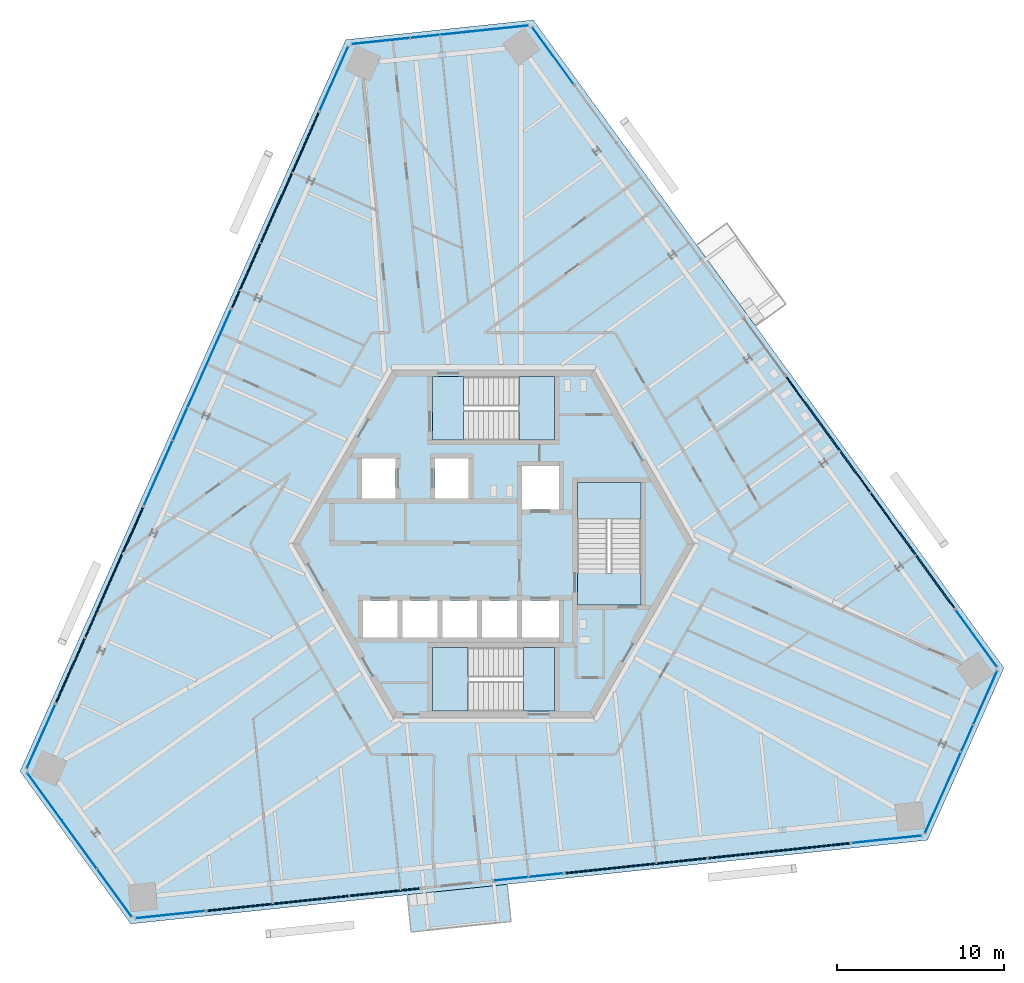
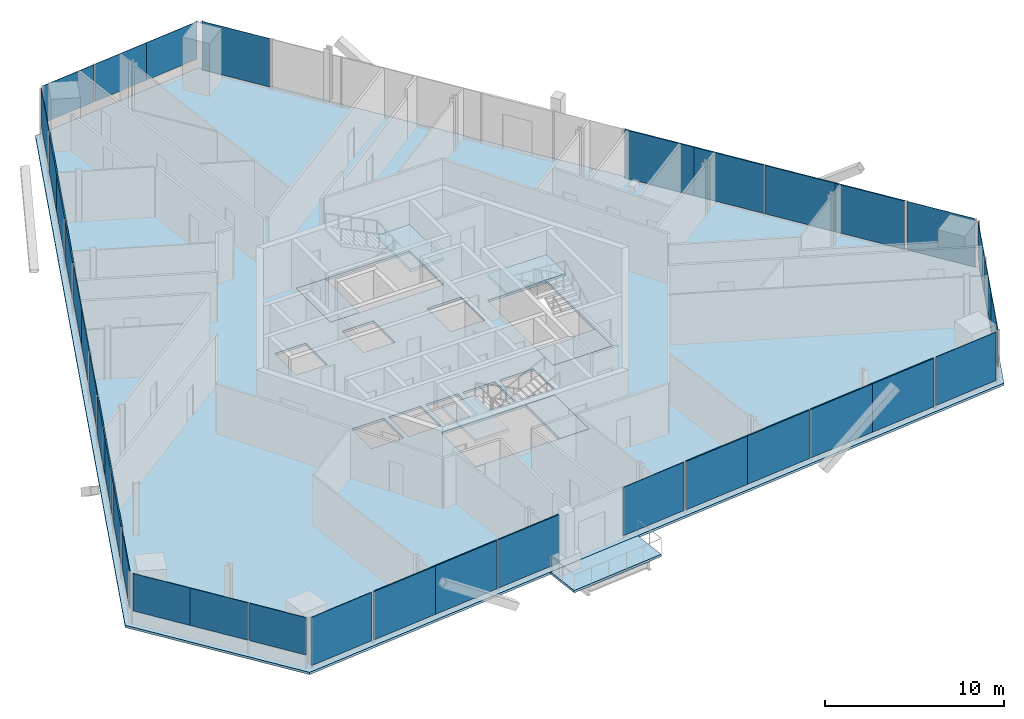
# One storey, part 10 of 19: 36 plates, 8 slabs, 19 elements without a shape of their own.
"""IFC4 building model written with IfcOpenShell, lengths in metres."""

from ifc_helpers import new_model, si_unit, direction, frame, origin, origin_2d, place, context, subcontext, project, spatial, polyline, rectangle, outline, extrude, source, transform, mapped, material, layer, layer_set, type_object, element, aggregate, save


model = new_model("IFC4")

# Units and contexts
model_context = context("Model", 3, precision=1e-05, world=origin(), true_north=direction((0.0, 1.0)))
body_context = subcontext(model_context, "Body", "Model", "MODEL_VIEW")
ifc_project = project(units=[si_unit("LENGTHUNIT", "METRE"), si_unit("AREAUNIT", "SQUARE_METRE"), si_unit("VOLUMEUNIT", "CUBIC_METRE"), si_unit("PLANEANGLEUNIT", "RADIAN"), si_unit("MASSUNIT", "GRAM", prefix="KILO")], contexts=[model_context])

# Site, building, storey
site_placement = place(None, origin())
site = spatial("IfcSite", under=ifc_project, at=site_placement, CompositionType="ELEMENT")
building_placement = place(site_placement, origin())
building = spatial("IfcBuilding", under=site, at=building_placement, Name="Triune Harvest Tower", CompositionType="ELEMENT")
storey_placement = place(building_placement, frame((0.0, 0.0, 244.89990234375)))
storey = spatial("IfcBuildingStorey", under=building, at=storey_placement, Name="L64", CompositionType="ELEMENT", Elevation=244.89990234375)

# Slabs
ifc_material_1 = material(Name="Concrete 40 MPa", Category="concrete")
ifc_layer_1 = layer(ifc_material_1, 0.159912109375)
ifc_layer_set_1 = layer_set([ifc_layer_1], Name="Concrete 40 MPa")
slab_type_1 = type_object("IfcSlabType", Name="BA-1 balcony slab 160", PredefinedType="FLOOR", material=ifc_layer_set_1)
slab_1_placement = place(storey_placement, frame((0.0, 0.0, -0.159912109375)))
element("IfcSlab", 1, at=slab_1_placement, inside=storey, type_object=slab_type_1, Name="Balcony slab B6-F5 L64.5", PredefinedType="FLOOR", context=body_context, shape_type="SweptSolid", body=[
    extrude(outline(polyline([(-5.154052734375, -20.95703125), (0.81298828125, -20.329833984375), (1.046630859375, -22.552001953125), (-4.92041015625, -23.17919921875), (-5.154052734375, -20.95703125)])), origin(), (0.0, 0.0, 1.0), 0.159912109375),
])
ifc_material_2 = material(Name="Concrete 40 MPa", Category="concrete")
ifc_layer_2 = layer(ifc_material_2, 0.159912109375)
ifc_layer_set_2 = layer_set([ifc_layer_2], Name="Concrete 40 MPa")
slab_type_2 = type_object("IfcSlabType", Name="SL-1 Composite floor slab 160", PredefinedType="FLOOR", material=ifc_layer_set_2)
shared_shape_1 = source(origin(), body_context, "Body", "SweptSolid", [
    extrude(outline(polyline([(30.481689453125, -7.412109375), (2.3701171875, 31.280517578125), (-8.82177734375, 30.10400390625), (-28.274658203125, -13.587646484375), (-21.659912109375, -22.69189453125), (25.904541015625, -17.692626953125), (30.481689453125, -7.412109375)]), holes=[polyline([(-5.72509765625, -5.590087890625), (-5.72509765625, -3.389892578125), (-7.800048828125, -3.389892578125), (-7.800048828125, -5.590087890625), (-5.72509765625, -5.590087890625)]), polyline([(-3.35009765625, -5.590087890625), (-3.35009765625, -3.389892578125), (-5.425048828125, -3.389892578125), (-5.425048828125, -5.590087890625), (-3.35009765625, -5.590087890625)]), polyline([(-0.97509765625, -5.590087890625), (-0.97509765625, -3.389892578125), (-3.050048828125, -3.389892578125), (-3.050048828125, -5.590087890625), (-0.97509765625, -5.590087890625)]), polyline([(1.39990234375, -5.590087890625), (1.39990234375, -3.389892578125), (-0.675048828125, -3.389892578125), (-0.675048828125, -5.590087890625), (1.39990234375, -5.590087890625)]), polyline([(3.89990234375, 2.06005859375), (3.89990234375, 4.659912109375), (1.699951171875, 4.659912109375), (1.699951171875, 2.06005859375), (3.89990234375, 2.06005859375)]), polyline([(3.89990234375, -5.590087890625), (3.89990234375, -3.389892578125), (1.699951171875, -3.389892578125), (1.699951171875, -5.590087890625), (3.89990234375, -5.590087890625)]), polyline([(-5.85009765625, 2.7099609375), (-5.85009765625, 5.110107421875), (-7.85009765625, 5.110107421875), (-7.85009765625, 2.7099609375), (-5.85009765625, 2.7099609375)]), polyline([(-1.5, 2.7099609375), (-1.5, 5.110107421875), (-3.5, 5.110107421875), (-3.5, 2.7099609375), (-1.5, 2.7099609375)]), polyline([(3.64990234375, 6.18994140625), (3.64990234375, 9.989990234375), (-3.64990234375, 9.989990234375), (-3.64990234375, 6.18994140625), (3.64990234375, 6.18994140625)]), polyline([(3.64990234375, -9.989990234375), (3.64990234375, -6.18994140625), (-3.64990234375, -6.18994140625), (-3.64990234375, -9.989990234375), (3.64990234375, -9.989990234375)]), polyline([(8.800048828125, -3.64990234375), (8.800048828125, 3.64990234375), (5.0, 3.64990234375), (5.0, -3.64990234375), (8.800048828125, -3.64990234375)])]), origin(), (0.0, 0.0, 1.0), 0.159912109375),
])
slab_2_placement = place(storey_placement, frame((0.0, 0.0, -0.159912109375)))
element("IfcSlab", 2, at=slab_2_placement, inside=storey, type_object=slab_type_2, Name="slab/L64/1", PredefinedType="FLOOR", context=body_context, shape_type="MappedRepresentation", body=[
    mapped(shared_shape_1, transform((0.0, 0.0, 0.0), scale=1.0)),
])

# Stair, slabs
ifc_material_3 = material(Name="Concrete 40 MPa", Category="concrete")
stair_type = type_object("IfcStairType", Name="Exit stair 1800 half turn", PredefinedType="HALF_TURN_STAIR", material=ifc_material_3)
stair_1_placement = place(storey_placement, origin())
stair_1 = element("IfcStair", 3, at=stair_1_placement, inside=storey, type_object=stair_type, Name="Exit stair north", PredefinedType="HALF_TURN_STAIR")
ifc_material_4 = material(Name="Concrete 40 MPa", Category="concrete")
ifc_layer_3 = layer(ifc_material_4, 0.199951171875)
ifc_layer_set_3 = layer_set([ifc_layer_3], Name="Concrete 40 MPa")
slab_type_3 = type_object("IfcSlabType", Name="Stair landing 200", PredefinedType="LANDING", material=ifc_layer_set_3)
shared_shape_2 = source(origin(), body_context, "Body", "SweptSolid", [
    extrude(outline(polyline([(1.510009765625, 6.18994140625), (3.64990234375, 6.18994140625), (3.64990234375, 9.989990234375), (1.510009765625, 9.989990234375), (1.510009765625, 6.18994140625)])), origin(), (0.0, 0.0, 1.0), 0.199951171875),
])
slab_3_placement = place(storey_placement, frame((0.0, 0.0, 1.60009765625)))
slab_3 = element("IfcSlab", 4, at=slab_3_placement, type_object=slab_type_3, Name="ST-1 landing 2", PredefinedType="LANDING", context=body_context, shape_type="MappedRepresentation", body=[
    mapped(shared_shape_2, transform((0.0, 0.0, 0.0), scale=1.0)),
])
shared_shape_3 = source(origin(), body_context, "Body", "SweptSolid", [
    extrude(outline(polyline([(-3.64990234375, 6.18994140625), (-1.780029296875, 6.18994140625), (-1.780029296875, 9.989990234375), (-3.64990234375, 9.989990234375), (-3.64990234375, 6.18994140625)])), origin(), (0.0, 0.0, 1.0), 0.199951171875),
])
slab_4_placement = place(storey_placement, frame((0.0, 0.0, -0.199951171875)))
slab_4 = element("IfcSlab", 5, at=slab_4_placement, type_object=slab_type_3, Name="ST-1 landing 1", PredefinedType="LANDING", context=body_context, shape_type="MappedRepresentation", body=[
    mapped(shared_shape_3, transform((0.0, 0.0, 0.0), scale=1.0)),
])
aggregate(stair_1, [slab_4, slab_3])

stair_2_placement = place(storey_placement, origin())
stair_2 = element("IfcStair", 6, at=stair_2_placement, inside=storey, type_object=stair_type, Name="Exit stair south", PredefinedType="HALF_TURN_STAIR")
shared_shape_4 = source(origin(), body_context, "Body", "SweptSolid", [
    extrude(outline(polyline([(-1.510009765625, -6.18994140625), (-3.64990234375, -6.18994140625), (-3.64990234375, -9.989990234375), (-1.510009765625, -9.989990234375), (-1.510009765625, -6.18994140625)])), origin(), (0.0, 0.0, 1.0), 0.199951171875),
])
slab_5_placement = place(storey_placement, frame((0.0, 0.0, 1.60009765625)))
slab_5 = element("IfcSlab", 7, at=slab_5_placement, type_object=slab_type_3, Name="ST-2 landing 2", PredefinedType="LANDING", context=body_context, shape_type="MappedRepresentation", body=[
    mapped(shared_shape_4, transform((0.0, 0.0, 0.0), scale=1.0)),
])
shared_shape_5 = source(origin(), body_context, "Body", "SweptSolid", [
    extrude(outline(polyline([(3.64990234375, -6.18994140625), (1.780029296875, -6.18994140625), (1.780029296875, -9.989990234375), (3.64990234375, -9.989990234375), (3.64990234375, -6.18994140625)])), origin(), (0.0, 0.0, 1.0), 0.199951171875),
])
slab_6_placement = place(storey_placement, frame((0.0, 0.0, -0.199951171875)))
slab_6 = element("IfcSlab", 8, at=slab_6_placement, type_object=slab_type_3, Name="ST-2 landing 1", PredefinedType="LANDING", context=body_context, shape_type="MappedRepresentation", body=[
    mapped(shared_shape_5, transform((0.0, 0.0, 0.0), scale=1.0)),
])
aggregate(stair_2, [slab_6, slab_5])

stair_3_placement = place(storey_placement, origin())
stair_3 = element("IfcStair", 9, at=stair_3_placement, inside=storey, type_object=stair_type, Name="Exit stair east", PredefinedType="HALF_TURN_STAIR")
shared_shape_6 = source(origin(), body_context, "Body", "SweptSolid", [
    extrude(outline(polyline([(8.800048828125, 1.510009765625), (8.800048828125, 3.64990234375), (5.0, 3.64990234375), (5.0, 1.510009765625), (8.800048828125, 1.510009765625)])), origin(), (0.0, 0.0, 1.0), 0.199951171875),
])
slab_7_placement = place(storey_placement, frame((0.0, 0.0, 1.60009765625)))
slab_7 = element("IfcSlab", 10, at=slab_7_placement, type_object=slab_type_3, Name="ST-3 landing 2", PredefinedType="LANDING", context=body_context, shape_type="MappedRepresentation", body=[
    mapped(shared_shape_6, transform((0.0, 0.0, 0.0), scale=1.0)),
])
shared_shape_7 = source(origin(), body_context, "Body", "SweptSolid", [
    extrude(outline(polyline([(8.800048828125, -3.64990234375), (8.800048828125, -1.780029296875), (5.0, -1.780029296875), (5.0, -3.64990234375), (8.800048828125, -3.64990234375)])), origin(), (0.0, 0.0, 1.0), 0.199951171875),
])
slab_8_placement = place(storey_placement, frame((0.0, 0.0, -0.199951171875)))
slab_8 = element("IfcSlab", 11, at=slab_8_placement, type_object=slab_type_3, Name="ST-3 landing 1", PredefinedType="LANDING", context=body_context, shape_type="MappedRepresentation", body=[
    mapped(shared_shape_7, transform((0.0, 0.0, 0.0), scale=1.0)),
])
aggregate(stair_3, [slab_8, slab_7])

# Curtain wall, plate
ifc_material_5 = material(Name="Aluminium bronze anodised", Category="aluminium")
curtain_wall_type_1 = type_object("IfcCurtainWallType", Name="CW-1 Tower stick curtain wall", PredefinedType="NOTDEFINED", material=ifc_material_5)
curtain_wall_1_placement = place(storey_placement, origin())
curtain_wall_1 = element("IfcCurtainWall", 12, at=curtain_wall_1_placement, inside=storey, type_object=curtain_wall_type_1, Name="CW-1 B6-F2 L64 run 1")
ifc_material_6 = material(Name="Glass", Category="glass")
ifc_layer_4 = layer(ifc_material_6, 0.031982421875)
ifc_layer_set_4 = layer_set([ifc_layer_4], Name="Glass")
plate_type_1 = type_object("IfcPlateType", Name="GL-1 panel 32", PredefinedType="CURTAIN_PANEL", material=ifc_layer_set_4)
shared_shape_8 = source(origin(), body_context, "Body", "SweptSolid", [
    extrude(rectangle(XDim=3.500732421875, YDim=0.031982421875, at=origin_2d()), origin(), (0.0, 0.0, 1.0), 2.5400390625),
])
plate_1_placement = place(storey_placement, frame((0.32421875, 30.763671875, 0.900146484375), z_axis=(0.0, 0.0, 1.0), x_axis=(-0.994521768229, -0.104529672907, 0.0)))
plate_1 = element("IfcPlate", 13, at=plate_1_placement, type_object=plate_type_1, Name="CW-1 panel B6-F2 1.1", PredefinedType="CURTAIN_PANEL", context=body_context, shape_type="MappedRepresentation", body=[
    mapped(shared_shape_8, transform((0.0, 0.0, 0.0), scale=1.0)),
])

curtain_wall_2_placement = place(storey_placement, origin())
curtain_wall_2 = element("IfcCurtainWall", 14, at=curtain_wall_2_placement, inside=storey, type_object=curtain_wall_type_1, Name="CW-1 B6-F4 L64 run 1")
plate_2_placement = place(storey_placement, frame((-26.80419921875, -15.10107421875, 0.900146484375), z_axis=(0.0, 0.0, 1.0), x_axis=(0.587788936013, -0.809014317982, 0.0)))
plate_2 = element("IfcPlate", 15, at=plate_2_placement, type_object=plate_type_1, Name="CW-1 panel B6-F4 1.1", PredefinedType="CURTAIN_PANEL", context=body_context, shape_type="MappedRepresentation", body=[
    mapped(shared_shape_8, transform((0.0, 0.0, 0.0), scale=1.0)),
])

curtain_wall_3_placement = place(storey_placement, origin())
curtain_wall_3 = element("IfcCurtainWall", 16, at=curtain_wall_3_placement, inside=storey, type_object=curtain_wall_type_1, Name="CW-1 B6-F6 L64 run 1")
plate_3_placement = place(storey_placement, frame((26.47998046875, -15.66259765625, 0.900146484375), z_axis=(0.0, 0.0, 1.0), x_axis=(0.406743216086, 0.913542531121, 0.0)))
plate_3 = element("IfcPlate", 17, at=plate_3_placement, type_object=plate_type_1, Name="CW-1 panel B6-F6 1.1", PredefinedType="CURTAIN_PANEL", context=body_context, shape_type="MappedRepresentation", body=[
    mapped(shared_shape_8, transform((0.0, 0.0, 0.0), scale=1.0)),
])

# Plate
shared_shape_9 = source(origin(), body_context, "Body", "SweptSolid", [
    extrude(rectangle(XDim=3.5380859375, YDim=0.031982421875, at=origin_2d()), origin(), (0.0, 0.0, 1.0), 2.5400390625),
])
plate_4_placement = place(storey_placement, frame((-3.17578125, 30.395751953125, 0.900146484375), z_axis=(0.0, 0.0, 1.0), x_axis=(-0.994521768229, -0.104529672907, 0.0)))
plate_4 = element("IfcPlate", 18, at=plate_4_placement, type_object=plate_type_1, Name="CW-1 panel B6-F2 1.2", PredefinedType="CURTAIN_PANEL", context=body_context, shape_type="MappedRepresentation", body=[
    mapped(shared_shape_9, transform((0.0, 0.0, 0.0), scale=1.0)),
])

plate_5_placement = place(storey_placement, frame((-24.735595703125, -17.9482421875, 0.900146484375), z_axis=(0.0, 0.0, 1.0), x_axis=(0.587788936013, -0.809014317982, 0.0)))
plate_5 = element("IfcPlate", 19, at=plate_5_placement, type_object=plate_type_1, Name="CW-1 panel B6-F4 1.2", PredefinedType="CURTAIN_PANEL", context=body_context, shape_type="MappedRepresentation", body=[
    mapped(shared_shape_9, transform((0.0, 0.0, 0.0), scale=1.0)),
])

plate_6_placement = place(storey_placement, frame((27.91162109375, -12.447509765625, 0.900146484375), z_axis=(0.0, 0.0, 1.0), x_axis=(0.406743216086, 0.913542531121, 0.0)))
plate_6 = element("IfcPlate", 20, at=plate_6_placement, type_object=plate_type_1, Name="CW-1 panel B6-F6 1.2", PredefinedType="CURTAIN_PANEL", context=body_context, shape_type="MappedRepresentation", body=[
    mapped(shared_shape_9, transform((0.0, 0.0, 0.0), scale=1.0)),
])

shared_shape_10 = source(origin(), body_context, "Body", "SweptSolid", [
    extrude(rectangle(XDim=3.463134765625, YDim=0.031982421875, at=origin_2d()), origin(), (0.0, 0.0, 1.0), 2.5400390625),
])
plate_7_placement = place(storey_placement, frame((-6.73193359375, 30.02197265625, 0.900146484375), z_axis=(0.0, 0.0, 1.0), x_axis=(-0.994521768229, -0.104529672907, 0.0)))
plate_7 = element("IfcPlate", 21, at=plate_7_placement, type_object=plate_type_1, Name="CW-1 panel B6-F2 1.3", PredefinedType="CURTAIN_PANEL", context=body_context, shape_type="MappedRepresentation", body=[
    mapped(shared_shape_10, transform((0.0, 0.0, 0.0), scale=1.0)),
])

aggregate(curtain_wall_1, [plate_1, plate_4, plate_7])

plate_8_placement = place(storey_placement, frame((-22.6337890625, -20.841064453125, 0.900146484375), z_axis=(0.0, 0.0, 1.0), x_axis=(0.587788936013, -0.809014317982, 0.0)))
plate_8 = element("IfcPlate", 22, at=plate_8_placement, type_object=plate_type_1, Name="CW-1 panel B6-F4 1.3", PredefinedType="CURTAIN_PANEL", context=body_context, shape_type="MappedRepresentation", body=[
    mapped(shared_shape_10, transform((0.0, 0.0, 0.0), scale=1.0)),
])

aggregate(curtain_wall_2, [plate_2, plate_5, plate_8])

plate_9_placement = place(storey_placement, frame((29.365966796875, -9.180908203125, 0.900146484375), z_axis=(0.0, 0.0, 1.0), x_axis=(0.406743216086, 0.913542531121, 0.0)))
plate_9 = element("IfcPlate", 23, at=plate_9_placement, type_object=plate_type_1, Name="CW-1 panel B6-F6 1.3", PredefinedType="CURTAIN_PANEL", context=body_context, shape_type="MappedRepresentation", body=[
    mapped(shared_shape_10, transform((0.0, 0.0, 0.0), scale=1.0)),
])

aggregate(curtain_wall_3, [plate_3, plate_6, plate_9])

# Curtain wall, plate
ifc_material_7 = material(Name="Aluminium bronze anodised", Category="aluminium")
curtain_wall_type_2 = type_object("IfcCurtainWallType", Name="CW-7 Tower stick curtain wall with insulated spandrel infill", PredefinedType="NOTDEFINED", material=ifc_material_7)
curtain_wall_4_placement = place(storey_placement, origin())
curtain_wall_4 = element("IfcCurtainWall", 24, at=curtain_wall_4_placement, inside=storey, type_object=curtain_wall_type_2, Name="CW-7 B6-F3 L64 run 1001")
ifc_material_8 = material(Name="Insulated spandrel panel, bronze aluminium pan", Category="aluminium")
ifc_layer_5 = layer(ifc_material_8, 0.080078125)
ifc_layer_set_5 = layer_set([ifc_layer_5], Name="Insulated spandrel panel, bronze aluminium pan")
plate_type_2 = type_object("IfcPlateType", Name="SP-1 insulated spandrel panel 80", PredefinedType="CURTAIN_PANEL", material=ifc_layer_set_5)
shared_shape_11 = source(origin(), body_context, "Body", "SweptSolid", [
    extrude(rectangle(XDim=4.22509765625, YDim=0.080078125, at=origin_2d()), origin(), (0.0, 0.0, 1.0), 2.5400390625),
])
plate_10_placement = place(storey_placement, frame((-11.29345703125, 23.81494140625, 0.900146484375), z_axis=(0.0, 0.0, 1.0), x_axis=(-0.406734636858, -0.913546350866, 0.0)))
plate_10 = element("IfcPlate", 25, at=plate_10_placement, type_object=plate_type_2, Name="CW-7 panel B6-F3 1001.1", PredefinedType="CURTAIN_PANEL", context=body_context, shape_type="MappedRepresentation", body=[
    mapped(shared_shape_11, transform((0.0, 0.0, 0.0), scale=1.0)),
])

curtain_wall_5_placement = place(storey_placement, origin())
curtain_wall_5 = element("IfcCurtainWall", 26, at=curtain_wall_5_placement, inside=storey, type_object=curtain_wall_type_2, Name="CW-7 B6-F3 L64 run 3001")
plate_11_placement = place(storey_placement, frame((-21.787353515625, 0.245361328125, 0.900146484375), z_axis=(0.0, 0.0, 1.0), x_axis=(-0.406734636858, -0.913546350866, 0.0)))
plate_11 = element("IfcPlate", 27, at=plate_11_placement, type_object=plate_type_2, Name="CW-7 panel B6-F3 3001.1", PredefinedType="CURTAIN_PANEL", context=body_context, shape_type="MappedRepresentation", body=[
    mapped(shared_shape_11, transform((0.0, 0.0, 0.0), scale=1.0)),
])

# Plate
shared_shape_12 = source(origin(), body_context, "Body", "SweptSolid", [
    extrude(rectangle(XDim=4.262451171875, YDim=0.080078125, at=origin_2d()), origin(), (0.0, 0.0, 1.0), 2.5400390625),
])
plate_12_placement = place(storey_placement, frame((-13.01953125, 19.93798828125, 0.900146484375), z_axis=(0.0, 0.0, 1.0), x_axis=(-0.406734636858, -0.913546350866, 0.0)))
plate_12 = element("IfcPlate", 28, at=plate_12_placement, type_object=plate_type_2, Name="CW-7 panel B6-F3 1001.2", PredefinedType="CURTAIN_PANEL", context=body_context, shape_type="MappedRepresentation", body=[
    mapped(shared_shape_12, transform((0.0, 0.0, 0.0), scale=1.0)),
])

plate_13_placement = place(storey_placement, frame((-23.513427734375, -3.631591796875, 0.900146484375), z_axis=(0.0, 0.0, 1.0), x_axis=(-0.406734636858, -0.913546350866, 0.0)))
plate_13 = element("IfcPlate", 29, at=plate_13_placement, type_object=plate_type_2, Name="CW-7 panel B6-F3 3001.2", PredefinedType="CURTAIN_PANEL", context=body_context, shape_type="MappedRepresentation", body=[
    mapped(shared_shape_12, transform((0.0, 0.0, 0.0), scale=1.0)),
])

# Curtain wall, plates
curtain_wall_6_placement = place(storey_placement, origin())
curtain_wall_6 = element("IfcCurtainWall", 30, at=curtain_wall_6_placement, inside=storey, type_object=curtain_wall_type_1, Name="CW-1 B6-F3 L64 run 2001")
shared_shape_13 = source(origin(), body_context, "Body", "SweptSolid", [
    extrude(rectangle(XDim=4.22509765625, YDim=0.031982421875, at=origin_2d()), origin(), (0.0, 0.0, 1.0), 2.5400390625),
])
plate_14_placement = place(storey_placement, frame((-16.540283203125, 12.030029296875, 0.900146484375), z_axis=(0.0, 0.0, 1.0), x_axis=(-0.406743986739, -0.913542187998, 0.0)))
plate_14 = element("IfcPlate", 31, at=plate_14_placement, type_object=plate_type_1, Name="CW-1 panel B6-F3 2001.1", PredefinedType="CURTAIN_PANEL", context=body_context, shape_type="MappedRepresentation", body=[
    mapped(shared_shape_13, transform((0.0, 0.0, 0.0), scale=1.0)),
])
shared_shape_14 = source(origin(), body_context, "Body", "SweptSolid", [
    extrude(rectangle(XDim=4.262451171875, YDim=0.031982421875, at=origin_2d()), origin(), (0.0, 0.0, 1.0), 2.5400390625),
])
plate_15_placement = place(storey_placement, frame((-18.266357421875, 8.1533203125, 0.900146484375), z_axis=(0.0, 0.0, 1.0), x_axis=(-0.406743986739, -0.913542187998, 0.0)))
plate_15 = element("IfcPlate", 32, at=plate_15_placement, type_object=plate_type_1, Name="CW-1 panel B6-F3 2001.2", PredefinedType="CURTAIN_PANEL", context=body_context, shape_type="MappedRepresentation", body=[
    mapped(shared_shape_14, transform((0.0, 0.0, 0.0), scale=1.0)),
])
shared_shape_15 = source(origin(), body_context, "Body", "SweptSolid", [
    extrude(rectangle(XDim=4.1875, YDim=0.031982421875, at=origin_2d()), origin(), (0.0, 0.0, 1.0), 2.5400390625),
])
plate_16_placement = place(storey_placement, frame((-20.015380859375, 4.22509765625, 0.900146484375), z_axis=(0.0, 0.0, 1.0), x_axis=(-0.406743986739, -0.913542187998, 0.0)))
plate_16 = element("IfcPlate", 33, at=plate_16_placement, type_object=plate_type_1, Name="CW-1 panel B6-F3 2001.3", PredefinedType="CURTAIN_PANEL", context=body_context, shape_type="MappedRepresentation", body=[
    mapped(shared_shape_15, transform((0.0, 0.0, 0.0), scale=1.0)),
])
aggregate(curtain_wall_6, [plate_14, plate_15, plate_16])

ifc_material_9 = material(Name="Aluminium bronze anodised", Category="aluminium")
curtain_wall_type_3 = type_object("IfcCurtainWallType", Name="CW-10 Balcony window wall with insulated spandrel infill", PredefinedType="NOTDEFINED", material=ifc_material_9)
curtain_wall_7_placement = place(storey_placement, origin())
curtain_wall_7 = element("IfcCurtainWall", 34, at=curtain_wall_7_placement, inside=storey, type_object=curtain_wall_type_3, Name="CW-10 B6-F5 L64 run 1001")
shared_shape_16 = source(origin(), body_context, "Body", "SweptSolid", [
    extrude(rectangle(XDim=4.218994140625, YDim=0.080078125, at=origin_2d()), origin(), (0.0, 0.0, 1.0), 3.2900390625),
])
plate_17_placement = place(storey_placement, frame((-14.98681640625, -21.68896484375, 0.150146484375), z_axis=(0.0, 0.0, 1.0), x_axis=(0.994521342546, 0.104533722887, 0.0)))
plate_17 = element("IfcPlate", 35, at=plate_17_placement, type_object=plate_type_2, Name="CW-10 panel B6-F5 1001.1", PredefinedType="CURTAIN_PANEL", context=body_context, shape_type="MappedRepresentation", body=[
    mapped(shared_shape_16, transform((0.0, 0.0, 0.0), scale=1.0)),
])
shared_shape_17 = source(origin(), body_context, "Body", "SweptSolid", [
    extrude(rectangle(XDim=4.25634765625, YDim=0.080078125, at=origin_2d()), origin(), (0.0, 0.0, 1.0), 3.2900390625),
])
plate_18_placement = place(storey_placement, frame((-10.772216796875, -21.245849609375, 0.150146484375), z_axis=(0.0, 0.0, 1.0), x_axis=(0.994521342546, 0.104533722887, 0.0)))
plate_18 = element("IfcPlate", 36, at=plate_18_placement, type_object=plate_type_2, Name="CW-10 panel B6-F5 1001.2", PredefinedType="CURTAIN_PANEL", context=body_context, shape_type="MappedRepresentation", body=[
    mapped(shared_shape_17, transform((0.0, 0.0, 0.0), scale=1.0)),
])

curtain_wall_8_placement = place(storey_placement, origin())
curtain_wall_8 = element("IfcCurtainWall", 37, at=curtain_wall_8_placement, inside=storey, type_object=curtain_wall_type_3, Name="CW-10 B6-F1 L64 run 1001")
shared_shape_18 = source(origin(), body_context, "Body", "SweptSolid", [
    extrude(rectangle(XDim=4.226318359375, YDim=0.080078125, at=origin_2d()), origin(), (0.0, 0.0, 1.0), 3.2900390625),
])
plate_19_placement = place(storey_placement, frame((26.27001953125, -2.12548828125, 0.150146484375), z_axis=(0.0, 0.0, 1.0), x_axis=(-0.587785960877, 0.809016479558, 0.0)))
plate_19 = element("IfcPlate", 38, at=plate_19_placement, type_object=plate_type_2, Name="CW-10 panel B6-F1 1001.1", PredefinedType="CURTAIN_PANEL", context=body_context, shape_type="MappedRepresentation", body=[
    mapped(shared_shape_18, transform((0.0, 0.0, 0.0), scale=1.0)),
])
plate_20_placement = place(storey_placement, frame((18.72900390625, 8.253662109375, 0.150146484375), z_axis=(0.0, 0.0, 1.0), x_axis=(-0.587785960877, 0.809016479558, 0.0)))
plate_20 = element("IfcPlate", 39, at=plate_20_placement, type_object=plate_type_2, Name="CW-10 panel B6-F1 1001.4", PredefinedType="CURTAIN_PANEL", context=body_context, shape_type="MappedRepresentation", body=[
    mapped(shared_shape_18, transform((0.0, 0.0, 0.0), scale=1.0)),
])

curtain_wall_9_placement = place(storey_placement, origin())
curtain_wall_9 = element("IfcCurtainWall", 40, at=curtain_wall_9_placement, inside=storey, type_object=curtain_wall_type_3, Name="CW-10 B6-F5 L64 run 1002")
plate_21_placement = place(storey_placement, frame((6.398681640625, -19.441162109375, 0.150146484375), z_axis=(0.0, 0.0, 1.0), x_axis=(0.994521714716, 0.104530182042, 0.0)))
plate_21 = element("IfcPlate", 41, at=plate_21_placement, type_object=plate_type_2, Name="CW-10 panel B6-F5 1002.1", PredefinedType="CURTAIN_PANEL", context=body_context, shape_type="MappedRepresentation", body=[
    mapped(shared_shape_18, transform((0.0, 0.0, 0.0), scale=1.0)),
])
plate_22_placement = place(storey_placement, frame((19.157470703125, -18.10009765625, 0.150146484375), z_axis=(0.0, 0.0, 1.0), x_axis=(0.994521714716, 0.104530182042, 0.0)))
plate_22 = element("IfcPlate", 42, at=plate_22_placement, type_object=plate_type_2, Name="CW-10 panel B6-F5 1002.4", PredefinedType="CURTAIN_PANEL", context=body_context, shape_type="MappedRepresentation", body=[
    mapped(shared_shape_18, transform((0.0, 0.0, 0.0), scale=1.0)),
])

# Plate
shared_shape_19 = source(origin(), body_context, "Body", "SweptSolid", [
    extrude(rectangle(XDim=4.263916015625, YDim=0.080078125, at=origin_2d()), origin(), (0.0, 0.0, 1.0), 3.2900390625),
])
plate_23_placement = place(storey_placement, frame((23.774658203125, 1.30908203125, 0.150146484375), z_axis=(0.0, 0.0, 1.0), x_axis=(-0.587785960877, 0.809016479558, 0.0)))
plate_23 = element("IfcPlate", 43, at=plate_23_placement, type_object=plate_type_2, Name="CW-10 panel B6-F1 1001.2", PredefinedType="CURTAIN_PANEL", context=body_context, shape_type="MappedRepresentation", body=[
    mapped(shared_shape_19, transform((0.0, 0.0, 0.0), scale=1.0)),
])

plate_24_placement = place(storey_placement, frame((21.224365234375, 4.8193359375, 0.150146484375), z_axis=(0.0, 0.0, 1.0), x_axis=(-0.587785960877, 0.809016479558, 0.0)))
plate_24 = element("IfcPlate", 44, at=plate_24_placement, type_object=plate_type_2, Name="CW-10 panel B6-F1 1001.3", PredefinedType="CURTAIN_PANEL", context=body_context, shape_type="MappedRepresentation", body=[
    mapped(shared_shape_19, transform((0.0, 0.0, 0.0), scale=1.0)),
])

aggregate(curtain_wall_8, [plate_19, plate_23, plate_24, plate_20])

plate_25_placement = place(storey_placement, frame((10.62060546875, -18.997314453125, 0.150146484375), z_axis=(0.0, 0.0, 1.0), x_axis=(0.994521714716, 0.104530182042, 0.0)))
plate_25 = element("IfcPlate", 45, at=plate_25_placement, type_object=plate_type_2, Name="CW-10 panel B6-F5 1002.2", PredefinedType="CURTAIN_PANEL", context=body_context, shape_type="MappedRepresentation", body=[
    mapped(shared_shape_19, transform((0.0, 0.0, 0.0), scale=1.0)),
])

plate_26_placement = place(storey_placement, frame((14.935546875, -18.543701171875, 0.150146484375), z_axis=(0.0, 0.0, 1.0), x_axis=(0.994521714716, 0.104530182042, 0.0)))
plate_26 = element("IfcPlate", 46, at=plate_26_placement, type_object=plate_type_2, Name="CW-10 panel B6-F5 1002.3", PredefinedType="CURTAIN_PANEL", context=body_context, shape_type="MappedRepresentation", body=[
    mapped(shared_shape_19, transform((0.0, 0.0, 0.0), scale=1.0)),
])

aggregate(curtain_wall_9, [plate_21, plate_25, plate_26, plate_22])

shared_shape_20 = source(origin(), body_context, "Body", "SweptSolid", [
    extrude(rectangle(XDim=4.1875, YDim=0.080078125, at=origin_2d()), origin(), (0.0, 0.0, 1.0), 2.5400390625),
])
plate_27_placement = place(storey_placement, frame((-14.7685546875, 16.009765625, 0.900146484375), z_axis=(0.0, 0.0, 1.0), x_axis=(-0.406734636858, -0.913546350866, 0.0)))
plate_27 = element("IfcPlate", 47, at=plate_27_placement, type_object=plate_type_2, Name="CW-7 panel B6-F3 1001.3", PredefinedType="CURTAIN_PANEL", context=body_context, shape_type="MappedRepresentation", body=[
    mapped(shared_shape_20, transform((0.0, 0.0, 0.0), scale=1.0)),
])

aggregate(curtain_wall_4, [plate_10, plate_12, plate_27])

plate_28_placement = place(storey_placement, frame((-25.262451171875, -7.559814453125, 0.900146484375), z_axis=(0.0, 0.0, 1.0), x_axis=(-0.406734636858, -0.913546350866, 0.0)))
plate_28 = element("IfcPlate", 48, at=plate_28_placement, type_object=plate_type_2, Name="CW-7 panel B6-F3 3001.3", PredefinedType="CURTAIN_PANEL", context=body_context, shape_type="MappedRepresentation", body=[
    mapped(shared_shape_20, transform((0.0, 0.0, 0.0), scale=1.0)),
])

aggregate(curtain_wall_5, [plate_11, plate_13, plate_28])

# Curtain wall, plate
curtain_wall_10_placement = place(storey_placement, origin())
curtain_wall_10 = element("IfcCurtainWall", 49, at=curtain_wall_10_placement, inside=storey, type_object=curtain_wall_type_1, Name="CW-1 B6-F3 L64 run 1")
shared_shape_21 = source(origin(), body_context, "Body", "SweptSolid", [
    extrude(rectangle(XDim=4.150146484375, YDim=0.031982421875, at=origin_2d()), origin(), (0.0, 0.0, 1.0), 2.5400390625),
])
plate_29_placement = place(storey_placement, frame((-9.529296875, 27.77734375, 0.900146484375), z_axis=(0.0, 0.0, 1.0), x_axis=(-0.406738626747, -0.913544574453, 0.0)))
plate_29 = element("IfcPlate", 50, at=plate_29_placement, type_object=plate_type_1, Name="CW-1 panel B6-F3 1.1", PredefinedType="CURTAIN_PANEL", context=body_context, shape_type="MappedRepresentation", body=[
    mapped(shared_shape_21, transform((0.0, 0.0, 0.0), scale=1.0)),
])
aggregate(curtain_wall_10, [plate_29])

curtain_wall_11_placement = place(storey_placement, origin())
curtain_wall_11 = element("IfcCurtainWall", 51, at=curtain_wall_11_placement, inside=storey, type_object=curtain_wall_type_1, Name="CW-1 B6-F3 L64 run 4001")
plate_30_placement = place(storey_placement, frame((-27.01904296875, -11.505126953125, 0.900146484375), z_axis=(0.0, 0.0, 1.0), x_axis=(-0.406738626747, -0.913544574453, 0.0)))
plate_30 = element("IfcPlate", 52, at=plate_30_placement, type_object=plate_type_1, Name="CW-1 panel B6-F3 4001.1", PredefinedType="CURTAIN_PANEL", context=body_context, shape_type="MappedRepresentation", body=[
    mapped(shared_shape_21, transform((0.0, 0.0, 0.0), scale=1.0)),
])
aggregate(curtain_wall_11, [plate_30])

ifc_material_10 = material(Name="Aluminium bronze anodised", Category="aluminium")
curtain_wall_type_4 = type_object("IfcCurtainWallType", Name="CW-6 Balcony window wall", PredefinedType="NOTDEFINED", material=ifc_material_10)
curtain_wall_12_placement = place(storey_placement, origin())
curtain_wall_12 = element("IfcCurtainWall", 53, at=curtain_wall_12_placement, inside=storey, type_object=curtain_wall_type_4, Name="CW-6 B6-F1 L64 run 1")
ifc_material_11 = material(Name="Glass", Category="glass")
ifc_layer_6 = layer(ifc_material_11, 0.030029296875)
ifc_layer_set_6 = layer_set([ifc_layer_6], Name="Glass")
plate_type_3 = type_object("IfcPlateType", Name="GL-6 panel 30", PredefinedType="CURTAIN_PANEL", material=ifc_layer_set_6)
shared_shape_22 = source(origin(), body_context, "Body", "SweptSolid", [
    extrude(rectangle(XDim=4.1513671875, YDim=0.030029296875, at=origin_2d()), origin(), (0.0, 0.0, 1.0), 3.2900390625),
])
plate_31_placement = place(storey_placement, frame((28.8203125, -5.6357421875, 0.150146484375), z_axis=(0.0, 0.0, 1.0), x_axis=(-0.58778712435, 0.809015634242, 0.0)))
plate_31 = element("IfcPlate", 54, at=plate_31_placement, type_object=plate_type_3, Name="CW-6 panel B6-F1 1.1", PredefinedType="CURTAIN_PANEL", context=body_context, shape_type="MappedRepresentation", body=[
    mapped(shared_shape_22, transform((0.0, 0.0, 0.0), scale=1.0)),
])
aggregate(curtain_wall_12, [plate_31])

curtain_wall_13_placement = place(storey_placement, origin())
curtain_wall_13 = element("IfcCurtainWall", 55, at=curtain_wall_13_placement, inside=storey, type_object=curtain_wall_type_4, Name="CW-6 B6-F5 L64 run 2")
plate_32_placement = place(storey_placement, frame((2.08349609375, -19.89453125, 0.150146484375), z_axis=(0.0, 0.0, 1.0), x_axis=(0.994521203031, 0.10453505021, 0.0)))
plate_32 = element("IfcPlate", 56, at=plate_32_placement, type_object=plate_type_3, Name="CW-6 panel B6-F5 2.1", PredefinedType="CURTAIN_PANEL", context=body_context, shape_type="MappedRepresentation", body=[
    mapped(shared_shape_22, transform((0.0, 0.0, 0.0), scale=1.0)),
])
aggregate(curtain_wall_13, [plate_32])

curtain_wall_14_placement = place(storey_placement, origin())
curtain_wall_14 = element("IfcCurtainWall", 57, at=curtain_wall_14_placement, inside=storey, type_object=curtain_wall_type_4, Name="CW-6 B6-F5 L64 run 2002")
plate_33_placement = place(storey_placement, frame((23.47265625, -17.646484375, 0.150146484375), z_axis=(0.0, 0.0, 1.0), x_axis=(0.994522423542, 0.104523437905, 0.0)))
plate_33 = element("IfcPlate", 58, at=plate_33_placement, type_object=plate_type_3, Name="CW-6 panel B6-F5 2002.1", PredefinedType="CURTAIN_PANEL", context=body_context, shape_type="MappedRepresentation", body=[
    mapped(shared_shape_22, transform((0.0, 0.0, 0.0), scale=1.0)),
])
aggregate(curtain_wall_14, [plate_33])

# Plate
shared_shape_23 = source(origin(), body_context, "Body", "SweptSolid", [
    extrude(rectangle(XDim=4.181396484375, YDim=0.080078125, at=origin_2d()), origin(), (0.0, 0.0, 1.0), 3.2900390625),
])
plate_34_placement = place(storey_placement, frame((-6.501953125, -20.797119140625, 0.150146484375), z_axis=(0.0, 0.0, 1.0), x_axis=(0.994521342546, 0.104533722887, 0.0)))
plate_34 = element("IfcPlate", 59, at=plate_34_placement, type_object=plate_type_2, Name="CW-10 panel B6-F5 1001.3", PredefinedType="CURTAIN_PANEL", context=body_context, shape_type="MappedRepresentation", body=[
    mapped(shared_shape_23, transform((0.0, 0.0, 0.0), scale=1.0)),
])

aggregate(curtain_wall_7, [plate_17, plate_18, plate_34])

# Curtain wall, plate
curtain_wall_15_placement = place(storey_placement, origin())
curtain_wall_15 = element("IfcCurtainWall", 60, at=curtain_wall_15_placement, inside=storey, type_object=curtain_wall_type_4, Name="CW-6 B6-F1 L64 run 1002")
shared_shape_24 = source(origin(), body_context, "Body", "SweptSolid", [
    extrude(rectangle(XDim=4.143798828125, YDim=0.030029296875, at=origin_2d()), origin(), (0.0, 0.0, 1.0), 3.2900390625),
])
plate_35_placement = place(storey_placement, frame((3.5439453125, 29.154296875, 0.150146484375), z_axis=(0.0, 0.0, 1.0), x_axis=(-0.587791991527, 0.809012097992, 0.0)))
plate_35 = element("IfcPlate", 61, at=plate_35_placement, type_object=plate_type_3, Name="CW-6 panel B6-F1 1002.1", PredefinedType="CURTAIN_PANEL", context=body_context, shape_type="MappedRepresentation", body=[
    mapped(shared_shape_24, transform((0.0, 0.0, 0.0), scale=1.0)),
])
aggregate(curtain_wall_15, [plate_35])

curtain_wall_16_placement = place(storey_placement, origin())
curtain_wall_16 = element("IfcCurtainWall", 62, at=curtain_wall_16_placement, inside=storey, type_object=curtain_wall_type_4, Name="CW-6 B6-F5 L64 run 1")
plate_36_placement = place(storey_placement, frame((-19.29443359375, -22.1416015625, 0.150146484375), z_axis=(0.0, 0.0, 1.0), x_axis=(0.994522962576, 0.104518308966, 0.0)))
plate_36 = element("IfcPlate", 63, at=plate_36_placement, type_object=plate_type_3, Name="CW-6 panel B6-F5 1.1", PredefinedType="CURTAIN_PANEL", context=body_context, shape_type="MappedRepresentation", body=[
    mapped(shared_shape_24, transform((0.0, 0.0, 0.0), scale=1.0)),
])
aggregate(curtain_wall_16, [plate_36])

save(model, "model.ifc")
